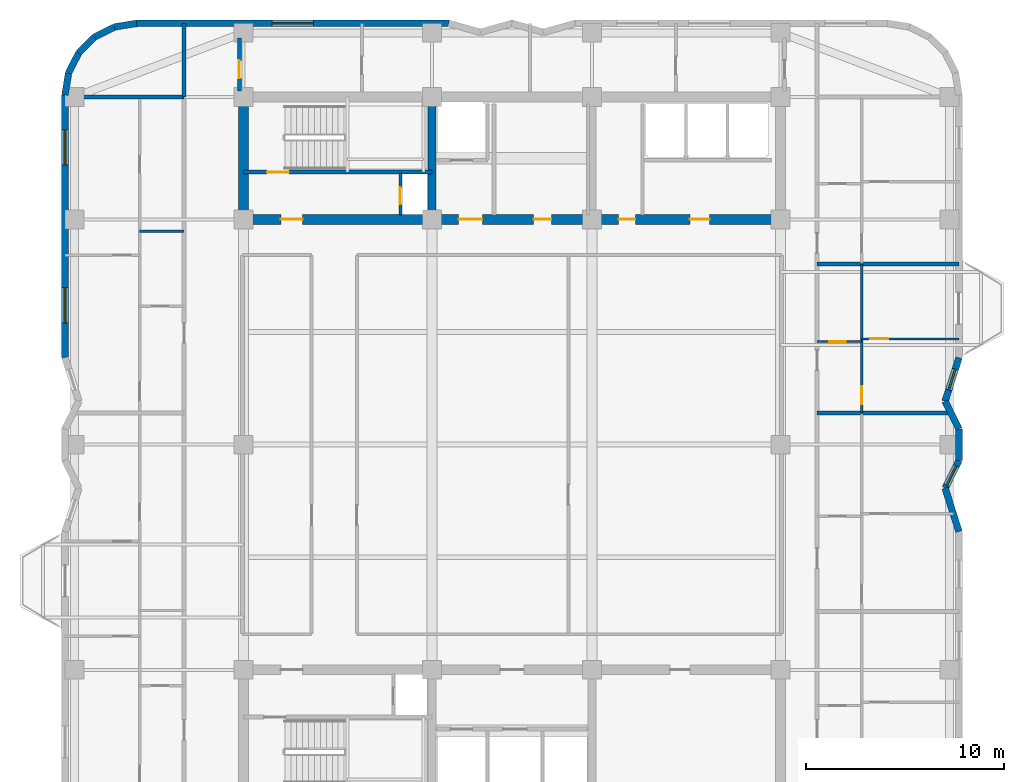
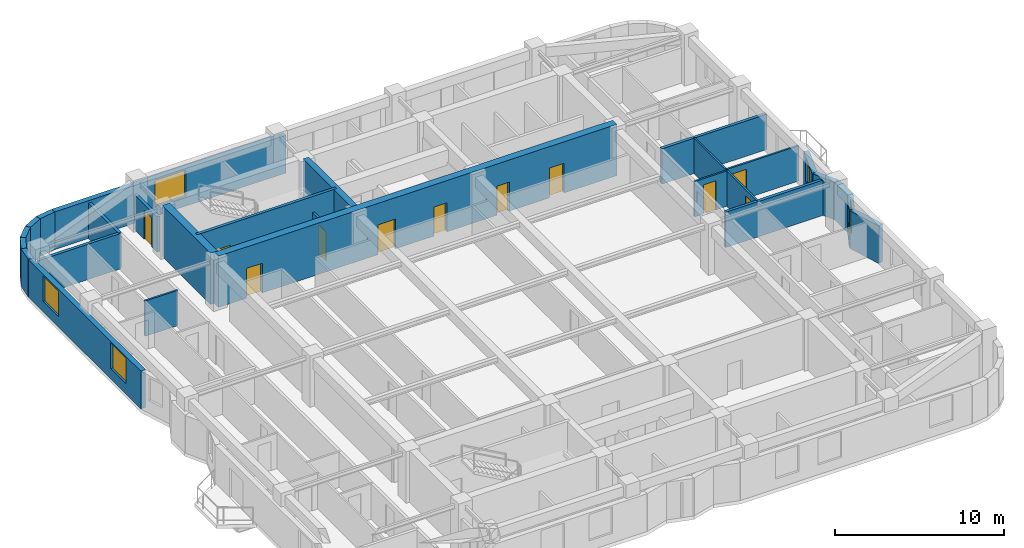
# One storey, part 5 of 9: 26 walls, 11 doors, 5 windows, 16 openings.
"""IFC4 building model written with IfcOpenShell, lengths in metres."""

from ifc_helpers import new_model, si_unit, direction, frame, frame_2d, origin, place, context, subcontext, project, spatial, rectangle, extrude, material, layer, layer_set, type_object, element, fill, save


model = new_model("IFC4")

# Units and contexts
model_context = context("Model", 3, precision=1e-05, world=origin(), true_north=direction((0.0, 1.0)))
body_context = subcontext(model_context, "Body", "Model", "MODEL_VIEW")
ifc_project = project(units=[si_unit("LENGTHUNIT", "METRE"), si_unit("AREAUNIT", "SQUARE_METRE"), si_unit("VOLUMEUNIT", "CUBIC_METRE"), si_unit("PLANEANGLEUNIT", "RADIAN"), si_unit("MASSUNIT", "GRAM", prefix="KILO")], contexts=[model_context])

# Site, building, storey
site_placement = place(None, origin())
site = spatial("IfcSite", under=ifc_project, at=site_placement, CompositionType="ELEMENT")
building_placement = place(site_placement, origin())
building = spatial("IfcBuilding", under=site, at=building_placement, Name="Svetorya Sky Lyceum", CompositionType="ELEMENT")
storey_placement = place(building_placement, frame((0.0, 0.0, 184.800048828125)))
storey = spatial("IfcBuildingStorey", under=building, at=storey_placement, Name="L46", CompositionType="ELEMENT", Elevation=184.800048828125)

# Walls
ifc_material_1 = material(Name="Concrete C40/50", Category="concrete")
ifc_layer_1 = layer(ifc_material_1, 0.39990234375)
ifc_layer_set_1 = layer_set([ifc_layer_1], Name="Concrete C40/50")
wall_type_1 = type_object("IfcWallType", Name="WL-CORE-400", PredefinedType="SHEAR", material=ifc_layer_set_1)
wall_1_placement = place(storey_placement, frame((35.14990234375, 39.85009765625, 0.0), z_axis=(0.0, 0.0, 1.0), x_axis=(0.0, 1.0, 0.0)))
element("IfcWall", 1, at=wall_1_placement, inside=storey, type_object=wall_type_1, Name="L46 NC Internal Shear Web WEB1", PredefinedType="SHEAR", context=body_context, shape_type="SweptSolid", body=[
    extrude(rectangle(XDim=5.699951171875, YDim=0.39990234375, at=frame_2d((2.85009765625, 0.0))), origin(), (0.0, 0.0, 1.0), 3.699951171875),
])
ifc_material_2 = material(Name="Concrete C50/60", Category="concrete")
ifc_layer_2 = layer(ifc_material_2, 0.5)
ifc_layer_set_2 = layer_set([ifc_layer_2], Name="Concrete C50/60")
wall_type_2 = type_object("IfcWallType", Name="WL-CORE-500", PredefinedType="SHEAR", material=ifc_layer_set_2)
wall_2_placement = place(storey_placement, frame((25.60009765625, 39.85009765625, 0.0), z_axis=(0.0, 0.0, 1.0), x_axis=(0.0, 1.0, 0.0)))
element("IfcWall", 2, at=wall_2_placement, inside=storey, type_object=wall_type_2, Name="L46 NC West Core Shear Wall", PredefinedType="SHEAR", context=body_context, shape_type="SweptSolid", body=[
    extrude(rectangle(XDim=5.699951171875, YDim=0.5, at=frame_2d((2.85009765625, 0.0))), origin(), (0.0, 0.0, 1.0), 3.699951171875),
])

# Wall, openings, doors
wall_3_placement = place(storey_placement, frame((52.800048828125, 39.60009765625, 0.0), z_axis=(0.0, 0.0, 1.0), x_axis=(-1.0, 0.0, 0.0)))
wall_3 = element("IfcWall", 3, at=wall_3_placement, inside=storey, type_object=wall_type_2, Name="L46 NC Inner Core Shear Wall", PredefinedType="SHEAR", context=body_context, shape_type="SweptSolid", body=[
    extrude(rectangle(XDim=27.199951171875, YDim=0.5, at=frame_2d((13.60009765625, 0.0))), origin(), (0.0, 0.0, 1.0), 3.699951171875),
])
opening_1_placement = place(wall_3_placement, frame((24.199951171875, 0.0, 0.0)))
opening_1 = element("IfcOpeningElement", 4, at=opening_1_placement, cuts=wall_3, Name="Opening D-ST1", PredefinedType="OPENING", context=body_context, shape_type="SweptSolid", body=[
    extrude(rectangle(XDim=1.10009765625, YDim=2.14990234375, at=frame_2d((0.550048828125, 1.074951171875))), frame((0.0, 0.260009765625, 0.0), z_axis=(0.0, -1.0, 0.0), x_axis=(1.0, 0.0, 0.0)), (0.0, 0.0, 1.0), 0.52001953125),
])
opening_2_placement = place(wall_3_placement, frame((15.10009765625, 0.0, 0.0)))
opening_2 = element("IfcOpeningElement", 5, at=opening_2_placement, cuts=wall_3, Name="Opening D-FL1", PredefinedType="OPENING", context=body_context, shape_type="SweptSolid", body=[
    extrude(rectangle(XDim=1.199951171875, YDim=2.14990234375, at=frame_2d((0.60009765625, 1.074951171875))), frame((0.0, 0.260009765625, 0.0), z_axis=(0.0, -1.0, 0.0), x_axis=(1.0, 0.0, 0.0)), (0.0, 0.0, 1.0), 0.52001953125),
])
opening_3_placement = place(wall_3_placement, frame((11.60009765625, 0.0, 0.0)))
opening_3 = element("IfcOpeningElement", 6, at=opening_3_placement, cuts=wall_3, Name="Opening D-RM1", PredefinedType="OPENING", context=body_context, shape_type="SweptSolid", body=[
    extrude(rectangle(XDim=0.89990234375, YDim=2.10009765625, at=frame_2d((0.449951171875, 1.050048828125))), frame((0.0, 0.260009765625, 0.0), z_axis=(0.0, -1.0, 0.0), x_axis=(1.0, 0.0, 0.0)), (0.0, 0.0, 1.0), 0.52001953125),
])
opening_4_placement = place(wall_3_placement, frame((7.35009765625, 0.0, 0.0)))
opening_4 = element("IfcOpeningElement", 7, at=opening_4_placement, cuts=wall_3, Name="Opening D-CWC1", PredefinedType="OPENING", context=body_context, shape_type="SweptSolid", body=[
    extrude(rectangle(XDim=0.85009765625, YDim=2.10009765625, at=frame_2d((0.425048828125, 1.050048828125))), frame((0.0, 0.260009765625, 0.0), z_axis=(0.0, -1.0, 0.0), x_axis=(1.0, 0.0, 0.0)), (0.0, 0.0, 1.0), 0.52001953125),
])
opening_5_placement = place(wall_3_placement, frame((3.60009765625, 0.0, 0.0)))
opening_5 = element("IfcOpeningElement", 8, at=opening_5_placement, cuts=wall_3, Name="Opening D-RM2", PredefinedType="OPENING", context=body_context, shape_type="SweptSolid", body=[
    extrude(rectangle(XDim=1.0, YDim=2.14990234375, at=frame_2d((0.5, 1.074951171875))), frame((0.0, 0.260009765625, 0.0), z_axis=(0.0, -1.0, 0.0), x_axis=(1.0, 0.0, 0.0)), (0.0, 0.0, 1.0), 0.52001953125),
])
ifc_material_3 = material(Name="Fire-rated galvanized steel core service closet door", Category="steel")
door_type_1 = type_object("IfcDoorType", Name="DR-CWET-850", OperationType="SINGLE_SWING_LEFT", PredefinedType="DOOR", material=ifc_material_3)
door_1_placement = place(opening_4_placement, origin())
door_1 = element("IfcDoor", 9, at=door_1_placement, inside=storey, type_object=door_type_1, Name="L46 High-Zone Utility Room Door", OperationType="SINGLE_SWING_LEFT", OverallHeight=2.10009765625, OverallWidth=0.85009765625, PredefinedType="DOOR", context=body_context, shape_type="SweptSolid", body=[
    extrude(rectangle(XDim=0.85009765625, YDim=2.10009765625, at=frame_2d((0.425048828125, 1.050048828125))), frame((0.0, 0.02490234375, 0.0), z_axis=(0.0, -1.0, 0.0), x_axis=(1.0, 0.0, 0.0)), (0.0, 0.0, 1.0), 0.050048828125),
])
fill(opening_4, door_1)
ifc_material_4 = material(Name="Powder-coated insulated galvanized stair fire door")
door_type_2 = type_object("IfcDoorType", Name="DR-FIRE-1100", OperationType="SINGLE_SWING_LEFT", PredefinedType="DOOR", material=ifc_material_4)
door_2_placement = place(opening_1_placement, origin())
door_2 = element("IfcDoor", 10, at=door_2_placement, inside=storey, type_object=door_type_2, Name="L46 North Stair Airlock Door", OperationType="SINGLE_SWING_LEFT", OverallHeight=2.14990234375, OverallWidth=1.10009765625, PredefinedType="DOOR", context=body_context, shape_type="SweptSolid", body=[
    extrude(rectangle(XDim=1.10009765625, YDim=2.14990234375, at=frame_2d((0.550048828125, 1.074951171875))), frame((0.0, 0.02490234375, 0.0), z_axis=(0.0, -1.0, 0.0), x_axis=(1.0, 0.0, 0.0)), (0.0, 0.0, 1.0), 0.050048828125),
])
fill(opening_1, door_2)
ifc_material_5 = material(Name="Powder-coated insulated galvanized fire door")
door_type_3 = type_object("IfcDoorType", Name="DR-FIRE-1200", OperationType="SINGLE_SWING_LEFT", PredefinedType="DOOR", material=ifc_material_5)
door_3_placement = place(opening_2_placement, origin())
door_3 = element("IfcDoor", 11, at=door_3_placement, inside=storey, type_object=door_type_3, Name="L46 North Firefighting Lift Lobby Door", OperationType="SINGLE_SWING_RIGHT", OverallHeight=2.14990234375, OverallWidth=1.199951171875, PredefinedType="DOOR", context=body_context, shape_type="SweptSolid", body=[
    extrude(rectangle(XDim=1.199951171875, YDim=2.14990234375, at=frame_2d((0.60009765625, 1.074951171875))), frame((0.0, 0.02490234375, 0.0), z_axis=(0.0, -1.0, 0.0), x_axis=(1.0, 0.0, 0.0)), (0.0, 0.0, 1.0), 0.050048828125),
])
fill(opening_2, door_3)
ifc_material_6 = material(Name="Solid-core oak acoustic room door")
door_type_4 = type_object("IfcDoorType", Name="DR-INT-1000", OperationType="SINGLE_SWING_LEFT", PredefinedType="DOOR", material=ifc_material_6)
door_4_placement = place(opening_5_placement, origin())
door_4 = element("IfcDoor", 12, at=door_4_placement, inside=storey, type_object=door_type_4, Name="L46 North Trunk Store Door", OperationType="SINGLE_SWING_LEFT", OverallHeight=2.14990234375, OverallWidth=1.0, PredefinedType="DOOR", context=body_context, shape_type="SweptSolid", body=[
    extrude(rectangle(XDim=1.0, YDim=2.14990234375, at=frame_2d((0.5, 1.074951171875))), frame((0.0, 0.02490234375, 0.0), z_axis=(0.0, -1.0, 0.0), x_axis=(1.0, 0.0, 0.0)), (0.0, 0.0, 1.0), 0.050048828125),
])
fill(opening_5, door_4)
ifc_material_7 = material(Name="Lacquered birch veneer internal door")
door_type_5 = type_object("IfcDoorType", Name="DR-INT-900", OperationType="SINGLE_SWING_LEFT", PredefinedType="DOOR", material=ifc_material_7)
door_5_placement = place(opening_3_placement, origin())
door_5 = element("IfcDoor", 13, at=door_5_placement, inside=storey, type_object=door_type_5, Name="L46 Upper Archive Door", OperationType="SINGLE_SWING_LEFT", OverallHeight=2.10009765625, OverallWidth=0.89990234375, PredefinedType="DOOR", context=body_context, shape_type="SweptSolid", body=[
    extrude(rectangle(XDim=0.89990234375, YDim=2.10009765625, at=frame_2d((0.449951171875, 1.050048828125))), frame((0.0, 0.02490234375, 0.0), z_axis=(0.0, -1.0, 0.0), x_axis=(1.0, 0.0, 0.0)), (0.0, 0.0, 1.0), 0.050048828125),
])
fill(opening_3, door_5)

# Wall
ifc_material_8 = material(Name="Putilovo limestone rainscreen on autoclaved cellular masonry", Category="masonry")
ifc_layer_3 = layer(ifc_material_8, 0.340087890625)
ifc_layer_set_3 = layer_set([ifc_layer_3], Name="Putilovo limestone rainscreen on autoclaved cellular masonry")
wall_type_3 = type_object("IfcWallType", Name="WL-EXT-340", PredefinedType="SOLIDWALL", material=ifc_layer_set_3)
wall_4_placement = place(storey_placement, frame((61.830078125, 23.800048828125, 0.0), z_axis=(0.0, 0.0, 1.0), x_axis=(-0.303286588318, 0.95289938889, 0.0)))
element("IfcWall", 14, at=wall_4_placement, inside=storey, type_object=wall_type_3, Name="L46 Limestone Exterior Wall 18M", PredefinedType="SOLIDWALL", context=body_context, shape_type="SweptSolid", body=[
    extrude(rectangle(XDim=2.30859375, YDim=0.340087890625, at=frame_2d((1.154296875, 0.0))), origin(), (0.0, 0.0, 1.0), 2.719970703125),
])

# Wall, opening, window
wall_5_placement = place(storey_placement, frame((61.1298828125, 26.0, 0.0), z_axis=(0.0, 0.0, 1.0), x_axis=(0.447338371726, 0.894364792007, 0.0)))
wall_5 = element("IfcWall", 15, at=wall_5_placement, inside=storey, type_object=wall_type_3, Name="L46 Limestone Exterior Wall 19M", PredefinedType="SOLIDWALL", context=body_context, shape_type="SweptSolid", body=[
    extrude(rectangle(XDim=1.565185546875, YDim=0.340087890625, at=frame_2d((0.78271484375, 0.0))), origin(), (0.0, 0.0, 1.0), 2.719970703125),
])
opening_6_placement = place(wall_5_placement, frame((0.159912109375, 0.0, 0.909912109375)))
opening_6 = element("IfcOpeningElement", 16, at=opening_6_placement, cuts=wall_5, Name="Opening W-R3", PredefinedType="OPENING", context=body_context, shape_type="SweptSolid", body=[
    extrude(rectangle(XDim=1.10009765625, YDim=1.64990234375, at=frame_2d((0.550048828125, 0.824951171875))), frame((0.0, 0.179931640625, 0.0), z_axis=(0.0, -1.0, 0.0), x_axis=(1.0, 0.0, 0.0)), (0.0, 0.0, 1.0), 0.360107421875),
])
ifc_material_9 = material(Name="Thermally broken aluminium frame with triple low-E glazing", Category="aluminium")
window_type_1 = type_object("IfcWindowType", Name="WN-RES-110", PartitioningType="SINGLE_PANEL", PredefinedType="WINDOW", material=ifc_material_9)
window_1_placement = place(opening_6_placement, origin())
window_1 = element("IfcWindow", 17, at=window_1_placement, inside=storey, type_object=window_type_1, Name="L46 Facade Window W-R3.19M.1", OverallHeight=1.64990234375, OverallWidth=1.10009765625, PartitioningType="SINGLE_PANEL", PredefinedType="WINDOW", context=body_context, shape_type="SweptSolid", body=[
    extrude(rectangle(XDim=1.10009765625, YDim=1.64990234375, at=frame_2d((0.550048828125, 0.824951171875))), frame((0.0, 0.030029296875, 0.0), z_axis=(0.0, -1.0, 0.0), x_axis=(1.0, 0.0, 0.0)), (0.0, 0.0, 1.0), 0.06005859375),
])
fill(opening_6, window_1)

# Walls
wall_6_placement = place(storey_placement, frame((61.830078125, 27.39990234375, 0.0), z_axis=(0.0, 0.0, 1.0), x_axis=(0.0, 1.0, 0.0)))
element("IfcWall", 18, at=wall_6_placement, inside=storey, type_object=wall_type_3, Name="L46 Limestone Exterior Wall 20M", PredefinedType="SOLIDWALL", context=body_context, shape_type="SweptSolid", body=[
    extrude(rectangle(XDim=1.60009765625, YDim=0.340087890625, at=frame_2d((0.800048828125, 0.0))), origin(), (0.0, 0.0, 1.0), 2.719970703125),
])
wall_7_placement = place(storey_placement, frame((61.830078125, 29.0, 0.0), z_axis=(0.0, 0.0, 1.0), x_axis=(-0.447338371726, 0.894364792007, 0.0)))
element("IfcWall", 19, at=wall_7_placement, inside=storey, type_object=wall_type_3, Name="L46 Limestone Exterior Wall 21M", PredefinedType="SOLIDWALL", context=body_context, shape_type="SweptSolid", body=[
    extrude(rectangle(XDim=1.565185546875, YDim=0.340087890625, at=frame_2d((0.78271484375, 0.0))), origin(), (0.0, 0.0, 1.0), 2.719970703125),
])

# Wall, opening, window
wall_8_placement = place(storey_placement, frame((61.1298828125, 30.39990234375, 0.0), z_axis=(0.0, 0.0, 1.0), x_axis=(0.303256029766, 0.952909114454, 0.0)))
wall_8 = element("IfcWall", 20, at=wall_8_placement, inside=storey, type_object=wall_type_3, Name="L46 Limestone Exterior Wall 22M", PredefinedType="SOLIDWALL", context=body_context, shape_type="SweptSolid", body=[
    extrude(rectangle(XDim=2.308837890625, YDim=0.340087890625, at=frame_2d((1.154296875, 0.0))), origin(), (0.0, 0.0, 1.0), 2.719970703125),
])
opening_7_placement = place(wall_8_placement, frame((0.604248046875, 0.0, 0.909912109375)))
opening_7 = element("IfcOpeningElement", 21, at=opening_7_placement, cuts=wall_8, Name="Opening W-R3", PredefinedType="OPENING", context=body_context, shape_type="SweptSolid", body=[
    extrude(rectangle(XDim=1.10009765625, YDim=1.64990234375, at=frame_2d((0.550048828125, 0.824951171875))), frame((0.0, 0.179931640625, 0.0), z_axis=(0.0, -1.0, 0.0), x_axis=(1.0, 0.0, 0.0)), (0.0, 0.0, 1.0), 0.360107421875),
])
window_2_placement = place(opening_7_placement, origin())
window_2 = element("IfcWindow", 22, at=window_2_placement, inside=storey, type_object=window_type_1, Name="L46 Facade Window W-R3.22M.1", OverallHeight=1.64990234375, OverallWidth=1.10009765625, PartitioningType="SINGLE_PANEL", PredefinedType="WINDOW", context=body_context, shape_type="SweptSolid", body=[
    extrude(rectangle(XDim=1.10009765625, YDim=1.64990234375, at=frame_2d((0.550048828125, 0.824951171875))), frame((0.0, 0.030029296875, 0.0), z_axis=(0.0, -1.0, 0.0), x_axis=(1.0, 0.0, 0.0)), (0.0, 0.0, 1.0), 0.06005859375),
])
fill(opening_7, window_2)

wall_9_placement = place(storey_placement, frame((36.0, 49.530029296875, 0.0), z_axis=(0.0, 0.0, 1.0), x_axis=(-1.0, 0.0, 0.0)))
wall_9 = element("IfcWall", 23, at=wall_9_placement, inside=storey, type_object=wall_type_3, Name="L46 Limestone Exterior Wall 34M", PredefinedType="SOLIDWALL", context=body_context, shape_type="SweptSolid", body=[
    extrude(rectangle(XDim=15.800048828125, YDim=0.340087890625, at=frame_2d((7.89990234375, 0.0))), origin(), (0.0, 0.0, 1.0), 2.719970703125),
])
opening_8_placement = place(wall_9_placement, frame((6.85009765625, 0.0, 0.699951171875)))
opening_8 = element("IfcOpeningElement", 24, at=opening_8_placement, cuts=wall_9, Name="Opening W-R0", PredefinedType="OPENING", context=body_context, shape_type="SweptSolid", body=[
    extrude(rectangle(XDim=2.10009765625, YDim=1.89990234375, at=frame_2d((1.050048828125, 0.949951171875))), frame((0.0, 0.179931640625, 0.0), z_axis=(0.0, -1.0, 0.0), x_axis=(1.0, 0.0, 0.0)), (0.0, 0.0, 1.0), 0.360107421875),
])
window_type_2 = type_object("IfcWindowType", Name="WN-RES-210", PartitioningType="TRIPLE_PANEL_VERTICAL", PredefinedType="WINDOW", material=ifc_material_9)
window_3_placement = place(opening_8_placement, origin())
window_3 = element("IfcWindow", 25, at=window_3_placement, inside=storey, type_object=window_type_2, Name="L46 Facade Window W-R0.34M.1", OverallHeight=1.89990234375, OverallWidth=2.10009765625, PartitioningType="SINGLE_PANEL", PredefinedType="WINDOW", context=body_context, shape_type="SweptSolid", body=[
    extrude(rectangle(XDim=2.10009765625, YDim=1.89990234375, at=frame_2d((1.050048828125, 0.949951171875))), frame((0.0, 0.030029296875, 0.0), z_axis=(0.0, -1.0, 0.0), x_axis=(1.0, 0.0, 0.0)), (0.0, 0.0, 1.0), 0.06005859375),
])
fill(opening_8, window_3)

# Walls
wall_10_placement = place(storey_placement, frame((20.199951171875, 49.530029296875, 0.0), z_axis=(0.0, 0.0, 1.0), x_axis=(-0.987675651954, -0.156514556949, 0.0)))
element("IfcWall", 26, at=wall_10_placement, inside=storey, type_object=wall_type_3, Name="L46 Limestone Exterior Wall 35M", PredefinedType="SOLIDWALL", context=body_context, shape_type="SweptSolid", body=[
    extrude(rectangle(XDim=1.135498046875, YDim=0.340087890625, at=frame_2d((0.56787109375, 0.0))), origin(), (0.0, 0.0, 1.0), 2.719970703125),
])
for number, where, z_axis, x_axis, name in (
    (27, (19.078369140625, 49.352294921875, 0.0), (0.0, 0.0, 1.0), (-0.891005044957, -0.453993402883, 0.0), "L46 Limestone Exterior Wall 36M"),
    (28, (18.06640625, 48.836669921875, 0.0), (0.0, 0.0, 1.0), (-0.707214252388, -0.706999293649, 0.0), "L46 Limestone Exterior Wall 37M"),
    (29, (17.26318359375, 48.03369140625, 0.0), (0.0, 0.0, 1.0), (-0.453822724105, -0.891091990249, 0.0), "L46 Limestone Exterior Wall 38M"),
    (30, (16.747802734375, 47.021728515625, 0.0), (0.0, 0.0, 1.0), (-0.156481329164, -0.987680916907, 0.0), "L46 Limestone Exterior Wall 39M"),
):
    element("IfcWall", number, at=place(storey_placement, frame(where, z_axis=z_axis, x_axis=x_axis)), inside=storey, type_object=wall_type_3, Name=name, PredefinedType="SOLIDWALL", context=body_context, shape_type="SweptSolid", body=[
        extrude(rectangle(XDim=1.1357421875, YDim=0.340087890625, at=frame_2d((0.56787109375, 0.0))), origin(), (0.0, 0.0, 1.0), 2.719970703125),
    ])

# Wall, openings, windows
wall_11_placement = place(storey_placement, frame((16.570068359375, 45.89990234375, 0.0), z_axis=(0.0, 0.0, 1.0), x_axis=(0.0, -1.0, 0.0)))
wall_11 = element("IfcWall", 31, at=wall_11_placement, inside=storey, type_object=wall_type_3, Name="L46 Limestone Exterior Wall 40M", PredefinedType="SOLIDWALL", context=body_context, shape_type="SweptSolid", body=[
    extrude(rectangle(XDim=13.2998046875, YDim=0.340087890625, at=frame_2d((6.64990234375, 0.0))), origin(), (0.0, 0.0, 1.0), 2.719970703125),
])
opening_9_placement = place(wall_11_placement, frame((1.75, 0.0, 0.75)))
opening_9 = element("IfcOpeningElement", 32, at=opening_9_placement, cuts=wall_11, Name="Opening W-R1", PredefinedType="OPENING", context=body_context, shape_type="SweptSolid", body=[
    extrude(rectangle(XDim=1.800048828125, YDim=1.85009765625, at=frame_2d((0.89990234375, 0.925048828125))), frame((0.0, 0.179931640625, 0.0), z_axis=(0.0, -1.0, 0.0), x_axis=(1.0, 0.0, 0.0)), (0.0, 0.0, 1.0), 0.360107421875),
])
opening_10_placement = place(wall_11_placement, frame((9.75, 0.0, 0.75)))
opening_10 = element("IfcOpeningElement", 33, at=opening_10_placement, cuts=wall_11, Name="Opening W-R1", PredefinedType="OPENING", context=body_context, shape_type="SweptSolid", body=[
    extrude(rectangle(XDim=1.800048828125, YDim=1.85009765625, at=frame_2d((0.89990234375, 0.925048828125))), frame((0.0, 0.179931640625, 0.0), z_axis=(0.0, -1.0, 0.0), x_axis=(1.0, 0.0, 0.0)), (0.0, 0.0, 1.0), 0.360107421875),
])
window_type_3 = type_object("IfcWindowType", Name="WN-RES-180", PartitioningType="DOUBLE_PANEL_VERTICAL", PredefinedType="WINDOW", material=ifc_material_9)
window_4_placement = place(opening_9_placement, origin())
window_4 = element("IfcWindow", 34, at=window_4_placement, inside=storey, type_object=window_type_3, Name="L46 Facade Window W-R1.40M.1", OverallHeight=1.85009765625, OverallWidth=1.800048828125, PartitioningType="SINGLE_PANEL", PredefinedType="WINDOW", context=body_context, shape_type="SweptSolid", body=[
    extrude(rectangle(XDim=1.800048828125, YDim=1.85009765625, at=frame_2d((0.89990234375, 0.925048828125))), frame((0.0, 0.030029296875, 0.0), z_axis=(0.0, -1.0, 0.0), x_axis=(1.0, 0.0, 0.0)), (0.0, 0.0, 1.0), 0.06005859375),
])
fill(opening_9, window_4)
window_5_placement = place(opening_10_placement, origin())
window_5 = element("IfcWindow", 35, at=window_5_placement, inside=storey, type_object=window_type_3, Name="L46 Facade Window W-R1.40M.2", OverallHeight=1.85009765625, OverallWidth=1.800048828125, PartitioningType="SINGLE_PANEL", PredefinedType="WINDOW", context=body_context, shape_type="SweptSolid", body=[
    extrude(rectangle(XDim=1.800048828125, YDim=1.85009765625, at=frame_2d((0.89990234375, 0.925048828125))), frame((0.0, 0.030029296875, 0.0), z_axis=(0.0, -1.0, 0.0), x_axis=(1.0, 0.0, 0.0)), (0.0, 0.0, 1.0), 0.06005859375),
])
fill(opening_10, window_5)

# Wall
ifc_material_10 = material(Name="Twin-stud galvanized framing with double fireboard", Category="gypsum")
ifc_layer_4 = layer(ifc_material_10, 0.1201171875)
ifc_layer_set_4 = layer_set([ifc_layer_4], Name="Twin-stud galvanized framing with double fireboard")
wall_type_4 = type_object("IfcWallType", Name="WL-PART-120", PredefinedType="PARTITIONING", material=ifc_layer_set_4)
wall_12_placement = place(storey_placement, frame((20.35009765625, 39.0, 0.0), z_axis=(0.0, 0.0, 1.0), x_axis=(1.0, 0.0, 0.0)))
element("IfcWall", 36, at=wall_12_placement, inside=storey, type_object=wall_type_4, Name="L46 Interior Partition W2-WH2", PredefinedType="PARTITIONING", context=body_context, shape_type="SweptSolid", body=[
    extrude(rectangle(XDim=2.25, YDim=0.1201171875, at=frame_2d((1.125, 0.0))), origin(), (0.0, 0.0, 1.0), 2.550048828125),
])

# Wall, opening, door
wall_13_placement = place(storey_placement, frame((54.64990234375, 33.419921875, 0.0), z_axis=(0.0, 0.0, 1.0), x_axis=(1.0, 0.0, 0.0)))
wall_13 = element("IfcWall", 37, at=wall_13_placement, inside=storey, type_object=wall_type_4, Name="L46 Interior Partition E3-WH1", PredefinedType="PARTITIONING", context=body_context, shape_type="SweptSolid", body=[
    extrude(rectangle(XDim=2.25, YDim=0.1201171875, at=frame_2d((1.125, 0.0))), origin(), (0.0, 0.0, 1.0), 2.550048828125),
])
opening_11_placement = place(wall_13_placement, frame((0.60009765625, 0.0, 0.0)))
opening_11 = element("IfcOpeningElement", 38, at=opening_11_placement, cuts=wall_13, Name="Opening D-BT1", PredefinedType="OPENING", context=body_context, shape_type="SweptSolid", body=[
    extrude(rectangle(XDim=0.85009765625, YDim=2.10009765625, at=frame_2d((0.425048828125, 1.050048828125))), frame((0.0, 0.070068359375, 0.0), z_axis=(0.0, -1.0, 0.0), x_axis=(1.0, 0.0, 0.0)), (0.0, 0.0, 1.0), 0.14013671875),
])
ifc_material_11 = material(Name="Moisture-resistant laminate bathroom door")
door_type_6 = type_object("IfcDoorType", Name="DR-WET-850", OperationType="SINGLE_SWING_LEFT", PredefinedType="DOOR", material=ifc_material_11)
door_6_placement = place(opening_11_placement, origin())
door_6 = element("IfcDoor", 39, at=door_6_placement, inside=storey, type_object=door_type_6, Name="Apartment E3 Bathroom Door", OperationType="SINGLE_SWING_RIGHT", OverallHeight=2.10009765625, OverallWidth=0.85009765625, PredefinedType="DOOR", context=body_context, shape_type="SweptSolid", body=[
    extrude(rectangle(XDim=0.85009765625, YDim=2.10009765625, at=frame_2d((0.425048828125, 1.050048828125))), frame((0.0, 0.02490234375, 0.0), z_axis=(0.0, -1.0, 0.0), x_axis=(1.0, 0.0, 0.0)), (0.0, 0.0, 1.0), 0.050048828125),
])
fill(opening_11, door_6)

wall_14_placement = place(storey_placement, frame((56.89990234375, 33.550048828125, 0.0), z_axis=(0.0, 0.0, 1.0), x_axis=(1.0, 0.0, 0.0)))
wall_14 = element("IfcWall", 40, at=wall_14_placement, inside=storey, type_object=wall_type_4, Name="L46 Interior Partition E3-WL1", PredefinedType="PARTITIONING", context=body_context, shape_type="SweptSolid", body=[
    extrude(rectangle(XDim=4.93017578125, YDim=0.1201171875, at=frame_2d((2.465087890625, 0.0))), origin(), (0.0, 0.0, 1.0), 2.550048828125),
])
opening_12_placement = place(wall_14_placement, frame((0.449951171875, 0.0, 0.0)))
opening_12 = element("IfcOpeningElement", 41, at=opening_12_placement, cuts=wall_14, Name="Opening D-RM1", PredefinedType="OPENING", context=body_context, shape_type="SweptSolid", body=[
    extrude(rectangle(XDim=0.89990234375, YDim=2.10009765625, at=frame_2d((0.449951171875, 1.050048828125))), frame((0.0, 0.070068359375, 0.0), z_axis=(0.0, -1.0, 0.0), x_axis=(1.0, 0.0, 0.0)), (0.0, 0.0, 1.0), 0.14013671875),
])
door_7_placement = place(opening_12_placement, origin())
door_7 = element("IfcDoor", 42, at=door_7_placement, inside=storey, type_object=door_type_5, Name="Apartment E3 Bedroom 1 Door", OperationType="SINGLE_SWING_RIGHT", OverallHeight=2.10009765625, OverallWidth=0.89990234375, PredefinedType="DOOR", context=body_context, shape_type="SweptSolid", body=[
    extrude(rectangle(XDim=0.89990234375, YDim=2.10009765625, at=frame_2d((0.449951171875, 1.050048828125))), frame((0.0, 0.02490234375, 0.0), z_axis=(0.0, -1.0, 0.0), x_axis=(1.0, 0.0, 0.0)), (0.0, 0.0, 1.0), 0.050048828125),
])
fill(opening_12, door_7)

wall_15_placement = place(storey_placement, frame((56.89990234375, 29.840087890625, 0.0), z_axis=(0.0, 0.0, 1.0), x_axis=(0.0, 1.0, 0.0)))
wall_15 = element("IfcWall", 43, at=wall_15_placement, inside=storey, type_object=wall_type_4, Name="L46 Interior Partition E3-WV", PredefinedType="PARTITIONING", context=body_context, shape_type="SweptSolid", body=[
    extrude(rectangle(XDim=7.471923828125, YDim=0.1201171875, at=frame_2d((3.73583984375, 0.0))), origin(), (0.0, 0.0, 1.0), 2.550048828125),
])
opening_13_placement = place(wall_15_placement, frame((0.409912109375, 0.0, 0.0)))
opening_13 = element("IfcOpeningElement", 44, at=opening_13_placement, cuts=wall_15, Name="Opening D-RM1", PredefinedType="OPENING", context=body_context, shape_type="SweptSolid", body=[
    extrude(rectangle(XDim=0.89990234375, YDim=2.10009765625, at=frame_2d((0.449951171875, 1.050048828125))), frame((0.0, 0.070068359375, 0.0), z_axis=(0.0, -1.0, 0.0), x_axis=(1.0, 0.0, 0.0)), (0.0, 0.0, 1.0), 0.14013671875),
])
door_8_placement = place(opening_13_placement, origin())
door_8 = element("IfcDoor", 45, at=door_8_placement, inside=storey, type_object=door_type_5, Name="Apartment E3 Living Door", OperationType="SINGLE_SWING_LEFT", OverallHeight=2.10009765625, OverallWidth=0.89990234375, PredefinedType="DOOR", context=body_context, shape_type="SweptSolid", body=[
    extrude(rectangle(XDim=0.89990234375, YDim=2.10009765625, at=frame_2d((0.449951171875, 1.050048828125))), frame((0.0, 0.02490234375, 0.0), z_axis=(0.0, -1.0, 0.0), x_axis=(1.0, 0.0, 0.0)), (0.0, 0.0, 1.0), 0.050048828125),
])
fill(opening_13, door_8)

ifc_material_12 = material(Name="Autoclaved cellular masonry blockwork with acoustic render", Category="masonry")
ifc_layer_5 = layer(ifc_material_12, 0.14990234375)
ifc_layer_set_5 = layer_set([ifc_layer_5], Name="Autoclaved cellular masonry blockwork with acoustic render")
wall_type_5 = type_object("IfcWallType", Name="WL-PART-150", PredefinedType="PARTITIONING", material=ifc_layer_set_5)
wall_16_placement = place(storey_placement, frame((33.550048828125, 39.820068359375, 0.0), z_axis=(0.0, 0.0, 1.0), x_axis=(0.0, 1.0, 0.0)))
wall_16 = element("IfcWall", 46, at=wall_16_placement, inside=storey, type_object=wall_type_5, Name="L46 Interior Partition NC-RSRW", PredefinedType="PARTITIONING", context=body_context, shape_type="SweptSolid", body=[
    extrude(rectangle(XDim=2.1298828125, YDim=0.14990234375, at=frame_2d((1.06494140625, 0.0))), origin(), (0.0, 0.0, 1.0), 2.550048828125),
])
opening_14_placement = place(wall_16_placement, frame((0.550048828125, 0.0, 0.0)))
opening_14 = element("IfcOpeningElement", 47, at=opening_14_placement, cuts=wall_16, Name="Opening D-SH1", PredefinedType="OPENING", context=body_context, shape_type="SweptSolid", body=[
    extrude(rectangle(XDim=0.85009765625, YDim=2.050048828125, at=frame_2d((0.425048828125, 1.02490234375))), frame((0.0, 0.0849609375, 0.0), z_axis=(0.0, -1.0, 0.0), x_axis=(1.0, 0.0, 0.0)), (0.0, 0.0, 1.0), 0.169921875),
])
ifc_material_13 = material(Name="Insulated galvanized riser inspection fire door")
door_type_7 = type_object("IfcDoorType", Name="DR-SHFT-850", OperationType="SINGLE_SWING_LEFT", PredefinedType="TRAPDOOR", material=ifc_material_13)
door_9_placement = place(opening_14_placement, origin())
door_9 = element("IfcDoor", 48, at=door_9_placement, inside=storey, type_object=door_type_7, Name="L46 North Riser Access Door", OperationType="SINGLE_SWING_LEFT", OverallHeight=2.050048828125, OverallWidth=0.85009765625, PredefinedType="TRAPDOOR", context=body_context, shape_type="SweptSolid", body=[
    extrude(rectangle(XDim=0.85009765625, YDim=2.050048828125, at=frame_2d((0.425048828125, 1.02490234375))), frame((0.0, 0.02490234375, 0.0), z_axis=(0.0, -1.0, 0.0), x_axis=(1.0, 0.0, 0.0)), (0.0, 0.0, 1.0), 0.050048828125),
])
fill(opening_14, door_9)

# Walls
ifc_material_14 = material(Name="Autoclaved cellular masonry blockwork with gypsum plaster", Category="masonry")
ifc_layer_6 = layer(ifc_material_14, 0.199951171875)
ifc_layer_set_6 = layer_set([ifc_layer_6], Name="Autoclaved cellular masonry blockwork with gypsum plaster")
wall_type_6 = type_object("IfcWallType", Name="WL-PART-200", PredefinedType="PARTITIONING", material=ifc_layer_set_6)
wall_17_placement = place(storey_placement, frame((16.989990234375, 45.800048828125, 0.0), z_axis=(0.0, 0.0, 1.0), x_axis=(1.0, 0.0, 0.0)))
element("IfcWall", 49, at=wall_17_placement, inside=storey, type_object=wall_type_6, Name="L46 Interior Partition W-CAP-N", PredefinedType="PARTITIONING", context=body_context, shape_type="SweptSolid", body=[
    extrude(rectangle(XDim=5.610107421875, YDim=0.199951171875, at=frame_2d((2.80517578125, 0.0))), origin(), (0.0, 0.0, 1.0), 2.550048828125),
])
wall_18_placement = place(storey_placement, frame((54.64990234375, 29.800048828125, 0.0), z_axis=(0.0, 0.0, 1.0), x_axis=(1.0, 0.0, 0.0)))
element("IfcWall", 50, at=wall_18_placement, inside=storey, type_object=wall_type_6, Name="L46 Interior Partition E-PARTY-2", PredefinedType="PARTITIONING", context=body_context, shape_type="SweptSolid", body=[
    extrude(rectangle(XDim=6.780029296875, YDim=0.199951171875, at=frame_2d((3.39013671875, 0.0))), origin(), (0.0, 0.0, 1.0), 2.550048828125),
])
wall_19_placement = place(storey_placement, frame((54.64990234375, 37.35205078125, 0.0), z_axis=(0.0, 0.0, 1.0), x_axis=(1.0, 0.0, 0.0)))
element("IfcWall", 51, at=wall_19_placement, inside=storey, type_object=wall_type_6, Name="L46 Interior Partition E-PARTY-3", PredefinedType="PARTITIONING", context=body_context, shape_type="SweptSolid", body=[
    extrude(rectangle(XDim=7.18017578125, YDim=0.199951171875, at=frame_2d((3.590087890625, 0.0))), origin(), (0.0, 0.0, 1.0), 2.550048828125),
])
wall_20_placement = place(storey_placement, frame((22.60009765625, 45.800048828125, 0.0), z_axis=(0.0, 0.0, 1.0), x_axis=(0.0, 1.0, 0.0)))
element("IfcWall", 52, at=wall_20_placement, inside=storey, type_object=wall_type_6, Name="L46 Interior Partition WC-NW-END", PredefinedType="PARTITIONING", context=body_context, shape_type="SweptSolid", body=[
    extrude(rectangle(XDim=3.72998046875, YDim=0.199951171875, at=frame_2d((1.864990234375, 0.0))), origin(), (0.0, 0.0, 1.0), 2.550048828125),
])

# Wall, opening, door
wall_21_placement = place(storey_placement, frame((25.39990234375, 46.10009765625, 0.0), z_axis=(0.0, 0.0, 1.0), x_axis=(0.0, 1.0, 0.0)))
wall_21 = element("IfcWall", 53, at=wall_21_placement, inside=storey, type_object=wall_type_6, Name="L46 Interior Partition N4-EW", PredefinedType="PARTITIONING", context=body_context, shape_type="SweptSolid", body=[
    extrude(rectangle(XDim=2.679931640625, YDim=0.199951171875, at=frame_2d((1.33984375, 0.0))), origin(), (0.0, 0.0, 1.0), 2.550048828125),
])
opening_15_placement = place(wall_21_placement, frame((0.64990234375, 0.0, 0.0)))
opening_15 = element("IfcOpeningElement", 54, at=opening_15_placement, cuts=wall_21, Name="Opening D-RM1", PredefinedType="OPENING", context=body_context, shape_type="SweptSolid", body=[
    extrude(rectangle(XDim=0.89990234375, YDim=2.10009765625, at=frame_2d((0.449951171875, 1.050048828125))), frame((0.0, 0.10986328125, 0.0), z_axis=(0.0, -1.0, 0.0), x_axis=(1.0, 0.0, 0.0)), (0.0, 0.0, 1.0), 0.219970703125),
])
door_10_placement = place(opening_15_placement, origin())
door_10 = element("IfcDoor", 55, at=door_10_placement, inside=storey, type_object=door_type_5, Name="L46 NW Study Door", OperationType="SINGLE_SWING_RIGHT", OverallHeight=2.10009765625, OverallWidth=0.89990234375, PredefinedType="DOOR", context=body_context, shape_type="SweptSolid", body=[
    extrude(rectangle(XDim=0.89990234375, YDim=2.10009765625, at=frame_2d((0.449951171875, 1.050048828125))), frame((0.0, 0.02490234375, 0.0), z_axis=(0.0, -1.0, 0.0), x_axis=(1.0, 0.0, 0.0)), (0.0, 0.0, 1.0), 0.050048828125),
])
fill(opening_15, door_10)

ifc_layer_7 = layer(ifc_material_2, 0.199951171875)
ifc_layer_set_7 = layer_set([ifc_layer_7], Name="Concrete C50/60")
wall_type_7 = type_object("IfcWallType", Name="WL-SHW-200", PredefinedType="SHEAR", material=ifc_layer_set_7)
wall_22_placement = place(storey_placement, frame((35.14990234375, 42.0, 0.0), z_axis=(0.0, 0.0, 1.0), x_axis=(-1.0, 0.0, 0.0)))
wall_22 = element("IfcWall", 56, at=wall_22_placement, inside=storey, type_object=wall_type_7, Name="L46 Structural Stair Shaft Wall NC-STW", PredefinedType="SHEAR", context=body_context, shape_type="SweptSolid", body=[
    extrude(rectangle(XDim=9.5498046875, YDim=0.199951171875, at=frame_2d((4.77490234375, 0.0))), origin(), (0.0, 0.0, 1.0), 3.699951171875),
])
opening_16_placement = place(wall_22_placement, frame((7.25, 0.0, 0.0)))
opening_16 = element("IfcOpeningElement", 57, at=opening_16_placement, cuts=wall_22, Name="Opening D-ST1", PredefinedType="OPENING", context=body_context, shape_type="SweptSolid", body=[
    extrude(rectangle(XDim=1.10009765625, YDim=2.14990234375, at=frame_2d((0.550048828125, 1.074951171875))), frame((0.0, 0.10986328125, 0.0), z_axis=(0.0, -1.0, 0.0), x_axis=(1.0, 0.0, 0.0)), (0.0, 0.0, 1.0), 0.219970703125),
])
door_11_placement = place(opening_16_placement, origin())
door_11 = element("IfcDoor", 58, at=door_11_placement, inside=storey, type_object=door_type_2, Name="L46 Stair ST-N Vestibule Fire Door", OperationType="SINGLE_SWING_RIGHT", OverallHeight=2.14990234375, OverallWidth=1.10009765625, PredefinedType="DOOR", context=body_context, shape_type="SweptSolid", body=[
    extrude(rectangle(XDim=1.10009765625, YDim=2.14990234375, at=frame_2d((0.550048828125, 1.074951171875))), frame((0.0, 0.02490234375, 0.0), z_axis=(0.0, -1.0, 0.0), x_axis=(1.0, 0.0, 0.0)), (0.0, 0.0, 1.0), 0.050048828125),
])
fill(opening_16, door_11)

save(model, "model.ifc")
